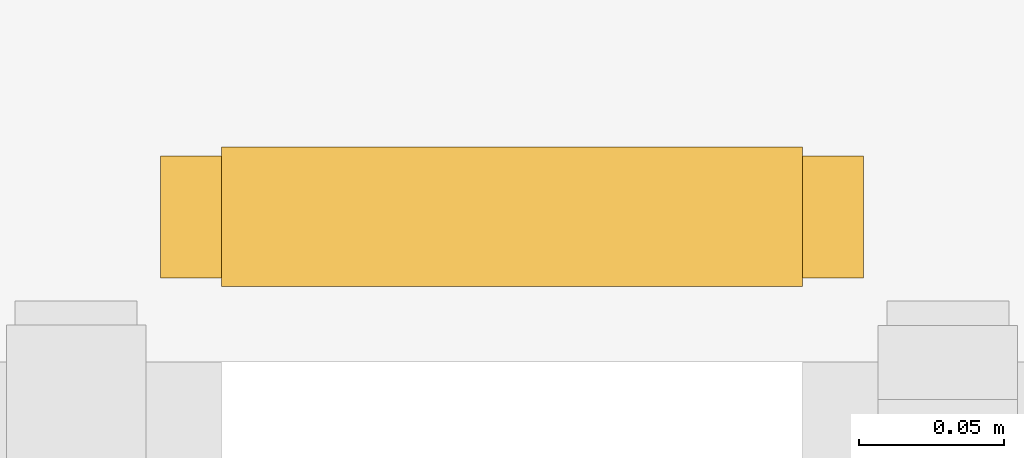
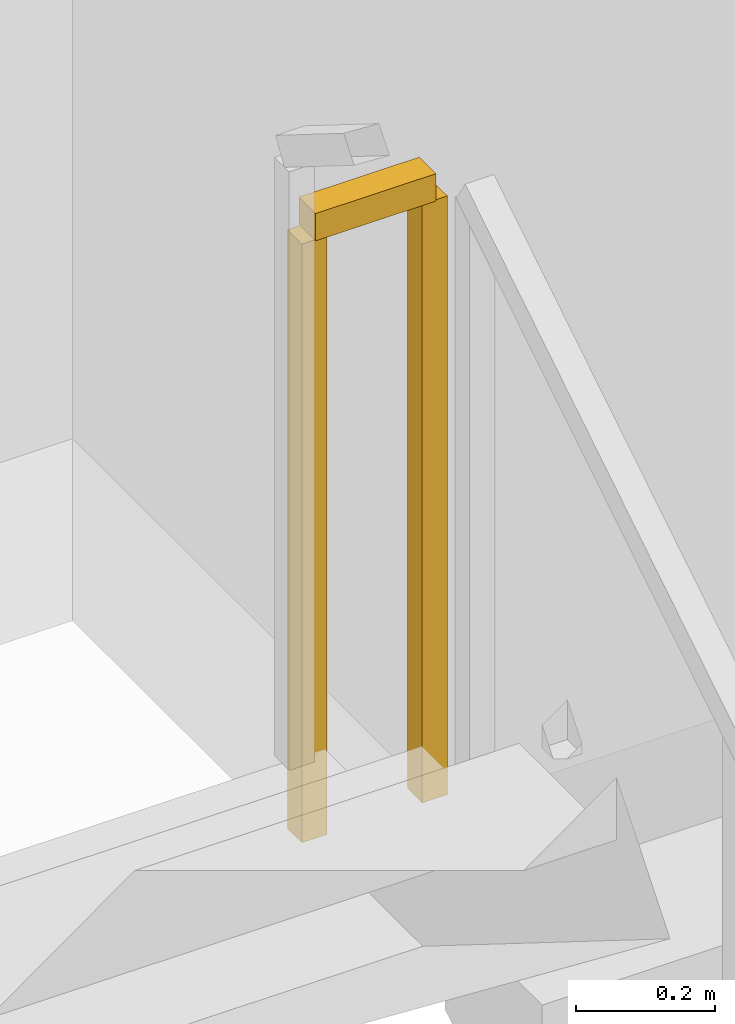
# One storey, part 17 of 22: 1 railing.
"""IFC4 building model written with IfcOpenShell, lengths in metres."""

from ifc_helpers import new_model, si_unit, direction, frame, origin, origin_2d, place, context, subcontext, project, spatial, rectangle, extrude, material, type_object, element, save


model = new_model("IFC4")

# Units and contexts
model_context = context("Model", 3, precision=1e-05, world=origin(), true_north=direction((0.0, 1.0)))
body_context = subcontext(model_context, "Body", "Model", "MODEL_VIEW")
ifc_project = project(units=[si_unit("LENGTHUNIT", "METRE"), si_unit("AREAUNIT", "SQUARE_METRE"), si_unit("VOLUMEUNIT", "CUBIC_METRE"), si_unit("PLANEANGLEUNIT", "RADIAN"), si_unit("MASSUNIT", "GRAM", prefix="KILO")], contexts=[model_context])

# Site, building, storey
site_placement = place(None, origin())
site = spatial("IfcSite", under=ifc_project, at=site_placement, CompositionType="ELEMENT")
building_placement = place(site_placement, origin())
building = spatial("IfcBuilding", under=site, at=building_placement, Name="Kiyonajd Concourse Tower", CompositionType="ELEMENT")
storey_placement = place(building_placement, frame((0.0, 0.0, 8.699951171875)))
storey = spatial("IfcBuildingStorey", under=building, at=storey_placement, Name="L03", CompositionType="ELEMENT", Elevation=8.699951171875)

# Railing
ifc_material = material(Name="Steel ASTM A500 Grade C", Category="steel")
railing_type = type_object("IfcRailingType", Name="RL-GRD-STR", PredefinedType="GUARDRAIL", material=ifc_material)
railing_placement = place(storey_placement, frame((11.300048828125, 32.780029296875, 2.10009765625)))
element("IfcRailing", 1, at=railing_placement, inside=storey, type_object=railing_type, Name="L03 ST4 stair guard 2", PredefinedType="GUARDRAIL", context=body_context, shape_type="SweptSolid", body=[
    extrude(rectangle(XDim=0.048095703125, YDim=0.048095703125, at=origin_2d()), frame((0.0, 0.0, 1.076171875), z_axis=(-1.0, 0.0, 0.0), x_axis=(0.0, -1.0, 0.0)), (0.0, 0.0, 1.0), 0.199951171875),
    extrude(rectangle(XDim=0.0419921875, YDim=0.0419921875, at=origin_2d()), origin(), (0.0, 0.0, 1.0), 1.052001953125),
    extrude(rectangle(XDim=0.0419921875, YDim=0.0419921875, at=origin_2d()), frame((-0.199951171875, 0.0, 0.0)), (0.0, 0.0, 1.0), 1.052001953125),
])

save(model, "model.ifc")
